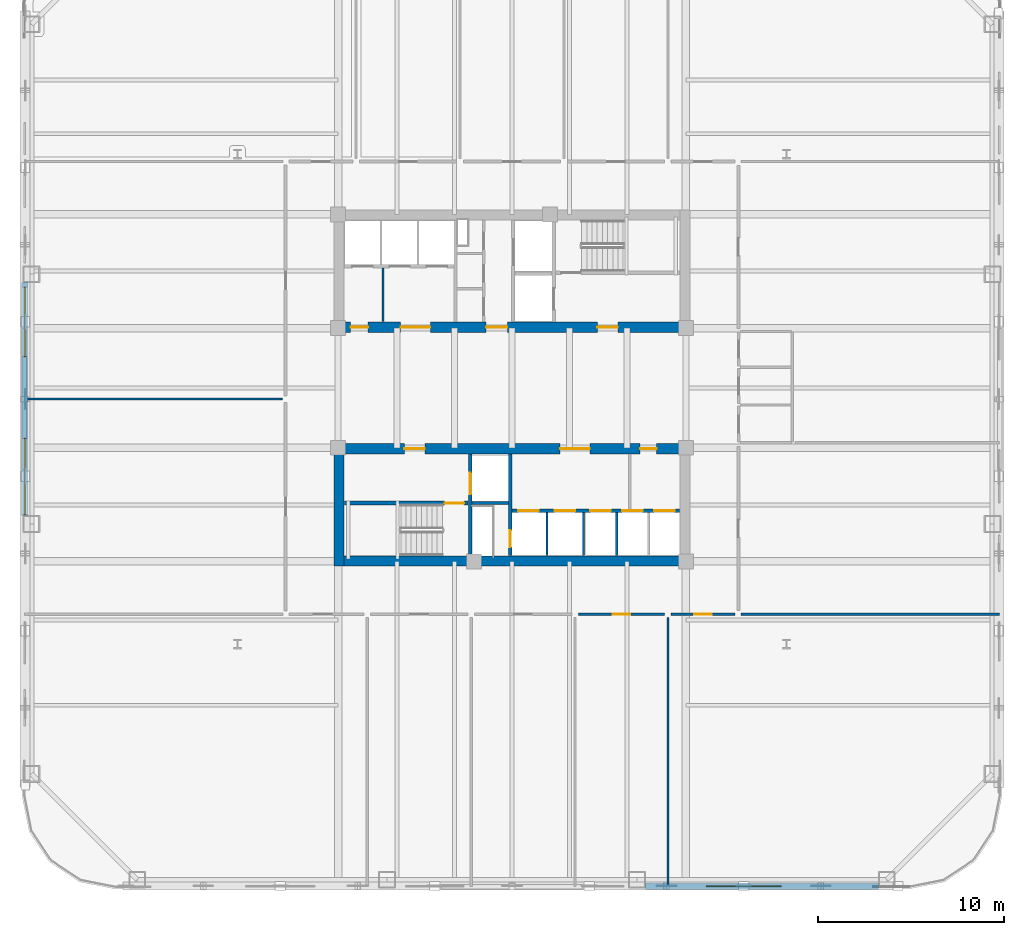
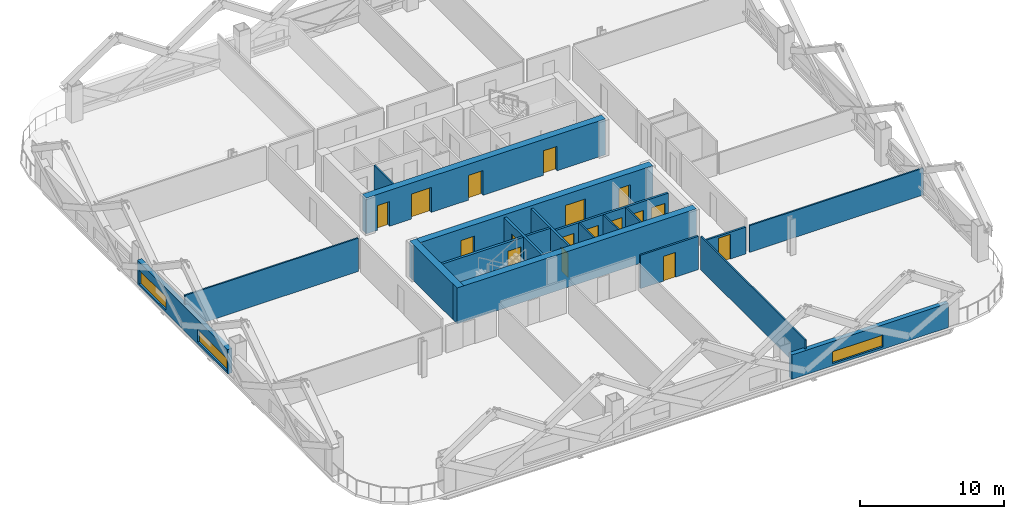
# One storey, part 5 of 14: 20 walls, 17 doors, 3 windows, 20 openings.
"""IFC4 building model written with IfcOpenShell, lengths in metres."""

from ifc_helpers import new_model, si_unit, direction, frame, frame_2d, origin, place, context, subcontext, project, spatial, rectangle, extrude, material, layer, layer_set, type_object, element, fill, save


model = new_model("IFC4")

# Units and contexts
model_context = context("Model", 3, precision=1e-05, world=origin(), true_north=direction((0.0, 1.0)))
body_context = subcontext(model_context, "Body", "Model", "MODEL_VIEW")
ifc_project = project(units=[si_unit("LENGTHUNIT", "METRE"), si_unit("AREAUNIT", "SQUARE_METRE"), si_unit("VOLUMEUNIT", "CUBIC_METRE"), si_unit("PLANEANGLEUNIT", "RADIAN"), si_unit("MASSUNIT", "GRAM", prefix="KILO")], contexts=[model_context])

# Site, building, storey
site_placement = place(None, origin())
site = spatial("IfcSite", under=ifc_project, at=site_placement, CompositionType="ELEMENT")
building_placement = place(site_placement, origin())
building = spatial("IfcBuilding", under=site, at=building_placement, Name="Qhalaya Broadcast Tower", CompositionType="ELEMENT")
storey_placement = place(building_placement, frame((0.0, 0.0, 38.300048828125)))
storey = spatial("IfcBuildingStorey", under=building, at=storey_placement, Name="L10", CompositionType="ELEMENT", Elevation=38.300048828125)

# Wall, opening, door
ifc_material_1 = material(Name="Gypsum Acoustic Partition")
ifc_layer_1 = layer(ifc_material_1, 0.14990234375, Name="Gypsum Acoustic Partition")
ifc_layer_set_1 = layer_set([ifc_layer_1], Name="Gypsum Acoustic Partition")
wall_type_1 = type_object("IfcWallType", Name="Corridor & Tenancy Acoustic Partition 150", PredefinedType="PARTITIONING", material=ifc_layer_set_1)
wall_1_placement = place(storey_placement, frame((3.580078125, -11.60009765625, 0.0), z_axis=(0.0, 0.0, 1.0), x_axis=(1.0, 0.0, 0.0)))
wall_1 = element("IfcWall", 1, at=wall_1_placement, inside=storey, type_object=wall_type_1, Name="L10 Partition Wall W-COR-09", PredefinedType="PARTITIONING", context=body_context, shape_type="SweptSolid", body=[
    extrude(rectangle(XDim=4.639892578125, YDim=0.14990234375, at=frame_2d((2.31982421875, 0.0))), origin(), (0.0, 0.0, 1.0), 2.829833984375),
])
opening_1_placement = place(wall_1_placement, frame((1.844970703125, 0.0, 0.0)))
opening_1 = element("IfcOpeningElement", 2, at=opening_1_placement, cuts=wall_1, Name="Opening D10", PredefinedType="OPENING", context=body_context, shape_type="SweptSolid", body=[
    extrude(rectangle(XDim=0.949951171875, YDim=2.10009765625, at=frame_2d((0.47509765625, 1.050048828125))), frame((0.0, 0.0869140625, 0.0), z_axis=(0.0, -1.0, 0.0), x_axis=(1.0, 0.0, 0.0)), (0.0, 0.0, 1.0), 0.173828125),
])
ifc_material_2 = material(Name="Timber Veneer Acoustic Door", Category="wood")
door_type_1 = type_object("IfcDoorType", Name="Cellular Office & Edit Booth Door D10", OperationType="NOTDEFINED", PredefinedType="DOOR", material=ifc_material_2)
door_1_placement = place(opening_1_placement, origin())
door_1 = element("IfcDoor", 3, at=door_1_placement, inside=storey, type_object=door_type_1, Name="L10 Door D-RM09", OperationType="SINGLE_SWING_RIGHT", OverallHeight=2.10009765625, OverallWidth=0.949951171875, PredefinedType="DOOR", context=body_context, shape_type="SweptSolid", body=[
    extrude(rectangle(XDim=0.949951171875, YDim=2.10009765625, at=frame_2d((0.47509765625, 1.050048828125))), frame((0.0, 0.02490234375, 0.0), z_axis=(0.0, -1.0, 0.0), x_axis=(1.0, 0.0, 0.0)), (0.0, 0.0, 1.0), 0.050048828125),
])
fill(opening_1, door_1)

wall_2_placement = place(storey_placement, frame((8.580078125, -11.60009765625, 0.0), z_axis=(0.0, 0.0, 1.0), x_axis=(1.0, 0.0, 0.0)))
wall_2 = element("IfcWall", 4, at=wall_2_placement, inside=storey, type_object=wall_type_1, Name="L10 Partition Wall W-COR-10", PredefinedType="PARTITIONING", context=body_context, shape_type="SweptSolid", body=[
    extrude(rectangle(XDim=3.43994140625, YDim=0.14990234375, at=frame_2d((1.719970703125, 0.0))), origin(), (0.0, 0.0, 1.0), 2.27392578125),
])
opening_2_placement = place(wall_2_placement, frame((1.2451171875, 0.0, 0.0)))
opening_2 = element("IfcOpeningElement", 5, at=opening_2_placement, cuts=wall_2, Name="Opening D10", PredefinedType="OPENING", context=body_context, shape_type="SweptSolid", body=[
    extrude(rectangle(XDim=0.949951171875, YDim=2.10009765625, at=frame_2d((0.47509765625, 1.050048828125))), frame((0.0, 0.0869140625, 0.0), z_axis=(0.0, -1.0, 0.0), x_axis=(1.0, 0.0, 0.0)), (0.0, 0.0, 1.0), 0.173828125),
])
door_2_placement = place(opening_2_placement, origin())
door_2 = element("IfcDoor", 6, at=door_2_placement, inside=storey, type_object=door_type_1, Name="L10 Door D-RM10", OperationType="SINGLE_SWING_LEFT", OverallHeight=2.10009765625, OverallWidth=0.949951171875, PredefinedType="DOOR", context=body_context, shape_type="SweptSolid", body=[
    extrude(rectangle(XDim=0.949951171875, YDim=2.10009765625, at=frame_2d((0.47509765625, 1.050048828125))), frame((0.0, 0.02490234375, 0.0), z_axis=(0.0, -1.0, 0.0), x_axis=(1.0, 0.0, 0.0)), (0.0, 0.0, 1.0), 0.050048828125),
])
fill(opening_2, door_2)

# Wall, opening, window
ifc_material_3 = material(Name="Precast Concrete C40/50", Category="concrete")
ifc_layer_2 = layer(ifc_material_3, 0.360107421875, Name="Precast Concrete C40/50")
ifc_layer_set_2 = layer_set([ifc_layer_2], Name="Precast Concrete C40/50")
wall_type_2 = type_object("IfcWallType", Name="Insulated Precast Terracotta Exterior Wall 360", PredefinedType="SOLIDWALL", material=ifc_layer_set_2)
wall_3_placement = place(storey_placement, frame((19.761962890625, -26.260009765625, 0.0), z_axis=(0.0, 0.0, 1.0), x_axis=(-1.0, 0.0, 0.0)))
wall_3 = element("IfcWall", 7, at=wall_3_placement, inside=storey, type_object=wall_type_2, Name="L10 Exoskeleton Diagrid Infill Wall S1", PredefinedType="SOLIDWALL", context=body_context, shape_type="SweptSolid", body=[
    extrude(rectangle(XDim=12.57861328125, YDim=0.360107421875, at=frame_2d((6.289306640625, 0.0))), origin(), (0.0, 0.0, 1.0), 2.06689453125),
])
opening_3_placement = place(wall_3_placement, frame((5.25, 0.0, 0.199951171875)))
opening_3 = element("IfcOpeningElement", 8, at=opening_3_placement, cuts=wall_3, Name="Opening W11", PredefinedType="OPENING", context=body_context, shape_type="SweptSolid", body=[
    extrude(rectangle(XDim=4.050048828125, YDim=1.0, at=frame_2d((2.02490234375, 0.5))), frame((0.0, 0.192138671875, 0.0), z_axis=(0.0, -1.0, 0.0), x_axis=(1.0, 0.0, 0.0)), (0.0, 0.0, 1.0), 0.384033203125),
])
ifc_material_4 = material(Name="Solar-Control Low-E Triple Glazing", Category="glass")
window_type = type_object("IfcWindowType", Name="Odd-Block Diagrid Infill Window W11", PartitioningType="SINGLE_PANEL", PredefinedType="WINDOW", material=ifc_material_4)
window_1_placement = place(opening_3_placement, origin())
window_1 = element("IfcWindow", 9, at=window_1_placement, inside=storey, type_object=window_type, Name="L10 Diagrid Infill Window W11-S1", OverallHeight=1.0, OverallWidth=4.050048828125, PartitioningType="SINGLE_PANEL", PredefinedType="WINDOW", context=body_context, shape_type="SweptSolid", body=[
    extrude(rectangle(XDim=4.050048828125, YDim=1.0, at=frame_2d((2.02490234375, 0.5))), frame((0.0, 0.030029296875, 0.0), z_axis=(0.0, -1.0, 0.0), x_axis=(1.0, 0.0, 0.0)), (0.0, 0.0, 1.0), 0.06005859375),
])
fill(opening_3, window_1)

# Wall, openings, windows
wall_4_placement = place(storey_placement, frame((-26.260009765625, -6.283203125, 0.0), z_axis=(0.0, 0.0, 1.0), x_axis=(0.0, 1.0, 0.0)))
wall_4 = element("IfcWall", 10, at=wall_4_placement, inside=storey, type_object=wall_type_2, Name="L10 Exoskeleton Diagrid Infill Wall W2", PredefinedType="SOLIDWALL", context=body_context, shape_type="SweptSolid", body=[
    extrude(rectangle(XDim=12.56640625, YDim=0.360107421875, at=frame_2d((6.283203125, 0.0))), origin(), (0.0, 0.0, 1.0), 2.06689453125),
])
opening_4_placement = place(wall_4_placement, frame((0.071044921875, 0.0, 0.199951171875)))
opening_4 = element("IfcOpeningElement", 11, at=opening_4_placement, cuts=wall_4, Name="Opening W11", PredefinedType="OPENING", context=body_context, shape_type="SweptSolid", body=[
    extrude(rectangle(XDim=4.10009765625, YDim=1.050048828125, at=frame_2d((2.050048828125, 0.52490234375))), frame((0.0, 0.192138671875, 0.0), z_axis=(0.0, -1.0, 0.0), x_axis=(1.0, 0.0, 0.0)), (0.0, 0.0, 1.0), 0.384033203125),
])
opening_5_placement = place(wall_4_placement, frame((8.571044921875, 0.0, 0.199951171875)))
opening_5 = element("IfcOpeningElement", 12, at=opening_5_placement, cuts=wall_4, Name="Opening W11", PredefinedType="OPENING", context=body_context, shape_type="SweptSolid", body=[
    extrude(rectangle(XDim=3.75, YDim=1.14990234375, at=frame_2d((1.875, 0.574951171875))), frame((0.0, 0.192138671875, 0.0), z_axis=(0.0, -1.0, 0.0), x_axis=(1.0, 0.0, 0.0)), (0.0, 0.0, 1.0), 0.384033203125),
])
window_2_placement = place(opening_4_placement, origin())
window_2 = element("IfcWindow", 13, at=window_2_placement, inside=storey, type_object=window_type, Name="L10 Diagrid Infill Window W11-W3", OverallHeight=1.050048828125, OverallWidth=4.10009765625, PartitioningType="SINGLE_PANEL", PredefinedType="WINDOW", context=body_context, shape_type="SweptSolid", body=[
    extrude(rectangle(XDim=4.10009765625, YDim=1.050048828125, at=frame_2d((2.050048828125, 0.52490234375))), frame((0.0, 0.030029296875, 0.0), z_axis=(0.0, -1.0, 0.0), x_axis=(1.0, 0.0, 0.0)), (0.0, 0.0, 1.0), 0.06005859375),
])
fill(opening_4, window_2)
window_3_placement = place(opening_5_placement, origin())
window_3 = element("IfcWindow", 14, at=window_3_placement, inside=storey, type_object=window_type, Name="L10 Diagrid Infill Window W11-W4", OverallHeight=1.14990234375, OverallWidth=3.75, PartitioningType="SINGLE_PANEL", PredefinedType="WINDOW", context=body_context, shape_type="SweptSolid", body=[
    extrude(rectangle(XDim=3.75, YDim=1.14990234375, at=frame_2d((1.875, 0.574951171875))), frame((0.0, 0.030029296875, 0.0), z_axis=(0.0, -1.0, 0.0), x_axis=(1.0, 0.0, 0.0)), (0.0, 0.0, 1.0), 0.06005859375),
])
fill(opening_5, window_3)

# Wall, opening, door
ifc_material_5 = material(Name="Concrete C50/60", Category="concrete")
ifc_layer_3 = layer(ifc_material_5, 0.199951171875, Name="Concrete C50/60")
ifc_layer_set_3 = layer_set([ifc_layer_3], Name="Concrete C50/60")
wall_type_3 = type_object("IfcWallType", Name="Load-Bearing Stair Shaft Wall 200", PredefinedType="SHEAR", material=ifc_layer_set_3)
wall_5_placement = place(storey_placement, frame((-9.030029296875, -5.60498046875, 0.0), z_axis=(0.0, 0.0, 1.0), x_axis=(1.0, 0.0, 0.0)))
wall_5 = element("IfcWall", 15, at=wall_5_placement, inside=storey, type_object=wall_type_3, Name="L10 Stair Core Shear Wall SCW-ST2", PredefinedType="SHEAR", context=body_context, shape_type="SweptSolid", body=[
    extrude(rectangle(XDim=6.669921875, YDim=0.199951171875, at=frame_2d((3.3349609375, 0.0))), origin(), (0.0, 0.0, 1.0), 2.829833984375),
])
opening_6_placement = place(wall_5_placement, frame((5.39990234375, 0.0, 0.0)))
opening_6 = element("IfcOpeningElement", 16, at=opening_6_placement, cuts=wall_5, Name="Opening D03", PredefinedType="OPENING", context=body_context, shape_type="SweptSolid", body=[
    extrude(rectangle(XDim=1.050048828125, YDim=2.080078125, at=frame_2d((0.52490234375, 1.0400390625))), frame((0.0, 0.112060546875, 0.0), z_axis=(0.0, -1.0, 0.0), x_axis=(1.0, 0.0, 0.0)), (0.0, 0.0, 1.0), 0.223876953125),
])
ifc_material_6 = material(Name="Fire-Rated Steel Door", Category="steel")
door_type_2 = type_object("IfcDoorType", Name="Core Stair Protected Fire Door D03", OperationType="NOTDEFINED", PredefinedType="DOOR", material=ifc_material_6)
door_3_placement = place(opening_6_placement, origin())
door_3 = element("IfcDoor", 17, at=door_3_placement, inside=storey, type_object=door_type_2, Name="L10 Door D-SST2", OperationType="SINGLE_SWING_RIGHT", OverallHeight=2.080078125, OverallWidth=1.050048828125, PredefinedType="DOOR", context=body_context, shape_type="SweptSolid", body=[
    extrude(rectangle(XDim=1.050048828125, YDim=2.080078125, at=frame_2d((0.52490234375, 1.0400390625))), frame((0.0, 0.02490234375, 0.0), z_axis=(0.0, -1.0, 0.0), x_axis=(1.0, 0.0, 0.0)), (0.0, 0.0, 1.0), 0.050048828125),
])
fill(opening_6, door_3)

wall_6_placement = place(storey_placement, frame((-2.25, -8.429931640625, 0.0), z_axis=(0.0, 0.0, 1.0), x_axis=(0.0, 1.0, 0.0)))
wall_6 = element("IfcWall", 18, at=wall_6_placement, inside=storey, type_object=wall_type_3, Name="L10 Stair Core Shear Wall SCW-FF", PredefinedType="SHEAR", context=body_context, shape_type="SweptSolid", body=[
    extrude(rectangle(XDim=5.4599609375, YDim=0.199951171875, at=frame_2d((2.72998046875, 0.0))), origin(), (0.0, 0.0, 1.0), 2.829833984375),
])
opening_7_placement = place(wall_6_placement, frame((3.300048828125, 0.0, 0.0)))
opening_7 = element("IfcOpeningElement", 19, at=opening_7_placement, cuts=wall_6, Name="Opening LD2", PredefinedType="OPENING", context=body_context, shape_type="SweptSolid", body=[
    extrude(rectangle(XDim=1.14990234375, YDim=2.080078125, at=frame_2d((0.574951171875, 1.0400390625))), frame((0.0, 0.112060546875, 0.0), z_axis=(0.0, -1.0, 0.0), x_axis=(1.0, 0.0, 0.0)), (0.0, 0.0, 1.0), 0.223876953125),
])
ifc_material_7 = material(Name="Brushed Stainless Steel Lift Door", Category="steel")
door_type_3 = type_object("IfcDoorType", Name="Firefighting Lift Sliding Landing Door LD2", OperationType="DOUBLE_DOOR_SLIDING", PredefinedType="DOOR", material=ifc_material_7)
door_4_placement = place(opening_7_placement, origin())
door_4 = element("IfcDoor", 20, at=door_4_placement, inside=storey, type_object=door_type_3, Name="L10 Door LD-FF2", OperationType="DOUBLE_DOOR_SLIDING", OverallHeight=2.080078125, OverallWidth=1.14990234375, PredefinedType="DOOR", context=body_context, shape_type="SweptSolid", body=[
    extrude(rectangle(XDim=1.14990234375, YDim=2.080078125, at=frame_2d((0.574951171875, 1.0400390625))), frame((0.0, 0.02490234375, 0.0), z_axis=(0.0, -1.0, 0.0), x_axis=(1.0, 0.0, 0.0)), (0.0, 0.0, 1.0), 0.050048828125),
])
fill(opening_7, door_4)

# Wall, openings, doors
ifc_material_8 = material(Name="Concrete C60/75", Category="concrete")
ifc_layer_4 = layer(ifc_material_8, 0.550048828125, Name="Concrete C60/75")
ifc_layer_set_4 = layer_set([ifc_layer_4], Name="Concrete C60/75")
wall_type_4 = type_object("IfcWallType", Name="Lower Split-Core Shear Wall 550", PredefinedType="SHEAR", material=ifc_layer_set_4)
wall_7_placement = place(storey_placement, frame((-9.60009765625, 3.875, 0.0), z_axis=(0.0, 0.0, 1.0), x_axis=(1.0, 0.0, 0.0)))
wall_7 = element("IfcWall", 21, at=wall_7_placement, inside=storey, type_object=wall_type_4, Name="L10 Split-Core Shear Wall CW-NS", PredefinedType="SHEAR", context=body_context, shape_type="SweptSolid", body=[
    extrude(rectangle(XDim=19.2001953125, YDim=0.550048828125, at=frame_2d((9.60009765625, 0.0))), origin(), (0.0, 0.0, 1.0), 3.050048828125),
])
opening_8_placement = place(wall_7_placement, frame((14.199951171875, 0.0, 0.0)))
opening_8 = element("IfcOpeningElement", 22, at=opening_8_placement, cuts=wall_7, Name="Opening D04", PredefinedType="OPENING", context=body_context, shape_type="SweptSolid", body=[
    extrude(rectangle(XDim=1.10009765625, YDim=2.080078125, at=frame_2d((0.550048828125, 1.0400390625))), frame((0.0, 0.287109375, 0.0), z_axis=(0.0, -1.0, 0.0), x_axis=(1.0, 0.0, 0.0)), (0.0, 0.0, 1.0), 0.573974609375),
])
opening_9_placement = place(wall_7_placement, frame((8.199951171875, 0.0, 0.0)))
opening_9 = element("IfcOpeningElement", 23, at=opening_9_placement, cuts=wall_7, Name="Opening D05", PredefinedType="OPENING", context=body_context, shape_type="SweptSolid", body=[
    extrude(rectangle(XDim=1.14990234375, YDim=2.10009765625, at=frame_2d((0.574951171875, 1.050048828125))), frame((0.0, 0.287109375, 0.0), z_axis=(0.0, -1.0, 0.0), x_axis=(1.0, 0.0, 0.0)), (0.0, 0.0, 1.0), 0.573974609375),
])
opening_10_placement = place(wall_7_placement, frame((0.89990234375, 0.0, 0.0)))
opening_10 = element("IfcOpeningElement", 24, at=opening_10_placement, cuts=wall_7, Name="Opening D10", PredefinedType="OPENING", context=body_context, shape_type="SweptSolid", body=[
    extrude(rectangle(XDim=0.949951171875, YDim=2.10009765625, at=frame_2d((0.47509765625, 1.050048828125))), frame((0.0, 0.287109375, 0.0), z_axis=(0.0, -1.0, 0.0), x_axis=(1.0, 0.0, 0.0)), (0.0, 0.0, 1.0), 0.573974609375),
])
opening_11_placement = place(wall_7_placement, frame((3.60009765625, 0.0, 0.0)))
opening_11 = element("IfcOpeningElement", 25, at=opening_11_placement, cuts=wall_7, Name="Opening D07", PredefinedType="OPENING", context=body_context, shape_type="SweptSolid", body=[
    extrude(rectangle(XDim=1.60009765625, YDim=2.1201171875, at=frame_2d((0.800048828125, 1.06005859375))), frame((0.0, 0.287109375, 0.0), z_axis=(0.0, -1.0, 0.0), x_axis=(1.0, 0.0, 0.0)), (0.0, 0.0, 1.0), 0.573974609375),
])
door_5_placement = place(opening_10_placement, origin())
door_5 = element("IfcDoor", 26, at=door_5_placement, inside=storey, type_object=door_type_1, Name="L10 Door D-NLPNT", OperationType="SINGLE_SWING_RIGHT", OverallHeight=2.10009765625, OverallWidth=0.949951171875, PredefinedType="DOOR", context=body_context, shape_type="SweptSolid", body=[
    extrude(rectangle(XDim=0.949951171875, YDim=2.10009765625, at=frame_2d((0.47509765625, 1.050048828125))), frame((0.0, 0.02490234375, 0.0), z_axis=(0.0, -1.0, 0.0), x_axis=(1.0, 0.0, 0.0)), (0.0, 0.0, 1.0), 0.050048828125),
])
fill(opening_10, door_5)
door_type_4 = type_object("IfcDoorType", Name="Firefighting Lobby Rated Door D04", OperationType="NOTDEFINED", PredefinedType="DOOR", material=ifc_material_6)
door_6_placement = place(opening_8_placement, origin())
door_6 = element("IfcDoor", 27, at=door_6_placement, inside=storey, type_object=door_type_4, Name="L10 Door D-NFF", OperationType="SINGLE_SWING_RIGHT", OverallHeight=2.080078125, OverallWidth=1.10009765625, PredefinedType="DOOR", context=body_context, shape_type="SweptSolid", body=[
    extrude(rectangle(XDim=1.10009765625, YDim=2.080078125, at=frame_2d((0.550048828125, 1.0400390625))), frame((0.0, 0.02490234375, 0.0), z_axis=(0.0, -1.0, 0.0), x_axis=(1.0, 0.0, 0.0)), (0.0, 0.0, 1.0), 0.050048828125),
])
fill(opening_8, door_6)
ifc_material_9 = material(Name="Anodised Aluminium Glazed Door", Category="aluminium")
door_type_5 = type_object("IfcDoorType", Name="Passenger Lift Lobby Double Glazed Door D07", OperationType="DOUBLE_DOOR_SINGLE_SWING", PredefinedType="DOOR", material=ifc_material_9)
door_7_placement = place(opening_11_placement, origin())
door_7 = element("IfcDoor", 28, at=door_7_placement, inside=storey, type_object=door_type_5, Name="L10 Door D-NPLL", OperationType="DOUBLE_DOOR_SINGLE_SWING", OverallHeight=2.1201171875, OverallWidth=1.60009765625, PredefinedType="DOOR", context=body_context, shape_type="SweptSolid", body=[
    extrude(rectangle(XDim=1.60009765625, YDim=2.1201171875, at=frame_2d((0.800048828125, 1.06005859375))), frame((0.0, 0.02490234375, 0.0), z_axis=(0.0, -1.0, 0.0), x_axis=(1.0, 0.0, 0.0)), (0.0, 0.0, 1.0), 0.050048828125),
])
fill(opening_11, door_7)
door_type_6 = type_object("IfcDoorType", Name="Refuge & Plant Room Fire Door D05", OperationType="NOTDEFINED", PredefinedType="DOOR", material=ifc_material_6)
door_8_placement = place(opening_9_placement, origin())
door_8 = element("IfcDoor", 29, at=door_8_placement, inside=storey, type_object=door_type_6, Name="L10 Door D-NSVL", OperationType="SINGLE_SWING_LEFT", OverallHeight=2.10009765625, OverallWidth=1.14990234375, PredefinedType="DOOR", context=body_context, shape_type="SweptSolid", body=[
    extrude(rectangle(XDim=1.14990234375, YDim=2.10009765625, at=frame_2d((0.574951171875, 1.050048828125))), frame((0.0, 0.02490234375, 0.0), z_axis=(0.0, -1.0, 0.0), x_axis=(1.0, 0.0, 0.0)), (0.0, 0.0, 1.0), 0.050048828125),
])
fill(opening_9, door_8)

# Wall
wall_8_placement = place(storey_placement, frame((-9.60009765625, -8.72509765625, 0.0), z_axis=(0.0, 0.0, 1.0), x_axis=(1.0, 0.0, 0.0)))
element("IfcWall", 30, at=wall_8_placement, inside=storey, type_object=wall_type_4, Name="L10 Split-Core Shear Wall CW-SS", PredefinedType="SHEAR", context=body_context, shape_type="SweptSolid", body=[
    extrude(rectangle(XDim=19.2001953125, YDim=0.550048828125, at=frame_2d((9.60009765625, 0.0))), origin(), (0.0, 0.0, 1.0), 3.050048828125),
])

# Wall, openings, doors
wall_9_placement = place(storey_placement, frame((-9.60009765625, -2.675048828125, 0.0), z_axis=(0.0, 0.0, 1.0), x_axis=(1.0, 0.0, 0.0)))
wall_9 = element("IfcWall", 31, at=wall_9_placement, inside=storey, type_object=wall_type_4, Name="L10 Split-Core Shear Wall CW-SN", PredefinedType="SHEAR", context=body_context, shape_type="SweptSolid", body=[
    extrude(rectangle(XDim=19.2001953125, YDim=0.550048828125, at=frame_2d((9.60009765625, 0.0))), origin(), (0.0, 0.0, 1.0), 3.050048828125),
])
opening_12_placement = place(wall_9_placement, frame((3.800048828125, 0.0, 0.0)))
opening_12 = element("IfcOpeningElement", 32, at=opening_12_placement, cuts=wall_9, Name="Opening D04", PredefinedType="OPENING", context=body_context, shape_type="SweptSolid", body=[
    extrude(rectangle(XDim=1.10009765625, YDim=2.080078125, at=frame_2d((0.550048828125, 1.0400390625))), frame((0.0, 0.287109375, 0.0), z_axis=(0.0, -1.0, 0.0), x_axis=(1.0, 0.0, 0.0)), (0.0, 0.0, 1.0), 0.573974609375),
])
opening_13_placement = place(wall_9_placement, frame((12.199951171875, 0.0, 0.0)))
opening_13 = element("IfcOpeningElement", 33, at=opening_13_placement, cuts=wall_9, Name="Opening D07", PredefinedType="OPENING", context=body_context, shape_type="SweptSolid", body=[
    extrude(rectangle(XDim=1.60009765625, YDim=2.1201171875, at=frame_2d((0.800048828125, 1.06005859375))), frame((0.0, 0.287109375, 0.0), z_axis=(0.0, -1.0, 0.0), x_axis=(1.0, 0.0, 0.0)), (0.0, 0.0, 1.0), 0.573974609375),
])
opening_14_placement = place(wall_9_placement, frame((16.5, 0.0, 0.0)))
opening_14 = element("IfcOpeningElement", 34, at=opening_14_placement, cuts=wall_9, Name="Opening D06", PredefinedType="OPENING", context=body_context, shape_type="SweptSolid", body=[
    extrude(rectangle(XDim=0.89990234375, YDim=2.050048828125, at=frame_2d((0.449951171875, 1.02490234375))), frame((0.0, 0.287109375, 0.0), z_axis=(0.0, -1.0, 0.0), x_axis=(1.0, 0.0, 0.0)), (0.0, 0.0, 1.0), 0.573974609375),
])
door_9_placement = place(opening_12_placement, origin())
door_9 = element("IfcDoor", 35, at=door_9_placement, inside=storey, type_object=door_type_4, Name="L10 Door D-SFF", OperationType="SINGLE_SWING_LEFT", OverallHeight=2.080078125, OverallWidth=1.10009765625, PredefinedType="DOOR", context=body_context, shape_type="SweptSolid", body=[
    extrude(rectangle(XDim=1.10009765625, YDim=2.080078125, at=frame_2d((0.550048828125, 1.0400390625))), frame((0.0, 0.02490234375, 0.0), z_axis=(0.0, -1.0, 0.0), x_axis=(1.0, 0.0, 0.0)), (0.0, 0.0, 1.0), 0.050048828125),
])
fill(opening_12, door_9)
door_10_placement = place(opening_13_placement, origin())
door_10 = element("IfcDoor", 36, at=door_10_placement, inside=storey, type_object=door_type_5, Name="L10 Door D-SPLL", OperationType="DOUBLE_DOOR_SINGLE_SWING", OverallHeight=2.1201171875, OverallWidth=1.60009765625, PredefinedType="DOOR", context=body_context, shape_type="SweptSolid", body=[
    extrude(rectangle(XDim=1.60009765625, YDim=2.1201171875, at=frame_2d((0.800048828125, 1.06005859375))), frame((0.0, 0.02490234375, 0.0), z_axis=(0.0, -1.0, 0.0), x_axis=(1.0, 0.0, 0.0)), (0.0, 0.0, 1.0), 0.050048828125),
])
fill(opening_13, door_10)
door_type_7 = type_object("IfcDoorType", Name="Riser & Electrical Shaft Access Door D06", OperationType="NOTDEFINED", PredefinedType="DOOR", material=ifc_material_6)
door_11_placement = place(opening_14_placement, origin())
door_11 = element("IfcDoor", 37, at=door_11_placement, inside=storey, type_object=door_type_7, Name="L10 Door D-SSCST", OperationType="SINGLE_SWING_LEFT", OverallHeight=2.050048828125, OverallWidth=0.89990234375, PredefinedType="DOOR", context=body_context, shape_type="SweptSolid", body=[
    extrude(rectangle(XDim=0.89990234375, YDim=2.050048828125, at=frame_2d((0.449951171875, 1.02490234375))), frame((0.0, 0.02490234375, 0.0), z_axis=(0.0, -1.0, 0.0), x_axis=(1.0, 0.0, 0.0)), (0.0, 0.0, 1.0), 0.050048828125),
])
fill(opening_14, door_11)

# Walls
wall_10_placement = place(storey_placement, frame((-9.324951171875, -9.0, 0.0), z_axis=(0.0, 0.0, 1.0), x_axis=(0.0, 1.0, 0.0)))
element("IfcWall", 38, at=wall_10_placement, inside=storey, type_object=wall_type_4, Name="L10 Split-Core Shear Wall CW-SW", PredefinedType="SHEAR", context=body_context, shape_type="SweptSolid", body=[
    extrude(rectangle(XDim=6.60009765625, YDim=0.550048828125, at=frame_2d((3.300048828125, 0.0))), origin(), (0.0, 0.0, 1.0), 3.050048828125),
])
ifc_layer_5 = layer(ifc_material_1, 0.1201171875, Name="Gypsum Acoustic Partition")
ifc_layer_set_5 = layer_set([ifc_layer_5], Name="Gypsum Acoustic Partition")
wall_type_5 = type_object("IfcWallType", Name="Office, Booth & Sanitary Partition 120", PredefinedType="PARTITIONING", material=ifc_layer_set_5)
wall_11_placement = place(storey_placement, frame((-6.949951171875, 4.169921875, 0.0), z_axis=(0.0, 0.0, 1.0), x_axis=(0.0, 1.0, 0.0)))
element("IfcWall", 39, at=wall_11_placement, inside=storey, type_object=wall_type_5, Name="L10 Partition Wall NCW-LKB", PredefinedType="PARTITIONING", context=body_context, shape_type="SweptSolid", body=[
    extrude(rectangle(XDim=2.89013671875, YDim=0.1201171875, at=frame_2d((1.445068359375, 0.0))), origin(), (0.0, 0.0, 1.0), 2.829833984375),
])
for number, where, z_axis, x_axis, name in (
    (40, (1.8798828125, -8.429931640625, 0.0), (0.0, 0.0, 1.0), (0.0, 1.0, 0.0), "L10 Partition Wall SCW-MD4"),
    (41, (3.85009765625, -8.429931640625, 0.0), (0.0, 0.0, 1.0), (0.0, 1.0, 0.0), "L10 Partition Wall SCW-MD5"),
    (42, (5.639892578125, -8.429931640625, 0.0), (0.0, 0.0, 1.0), (0.0, 1.0, 0.0), "L10 Partition Wall SCW-HD6"),
):
    element("IfcWall", number, at=place(storey_placement, frame(where, z_axis=z_axis, x_axis=x_axis)), inside=storey, type_object=wall_type_5, Name=name, PredefinedType="PARTITIONING", context=body_context, shape_type="SweptSolid", body=[
        extrude(rectangle(XDim=2.329833984375, YDim=0.1201171875, at=frame_2d((1.1650390625, 0.0))), origin(), (0.0, 0.0, 1.0), 2.829833984375),
    ])
wall_12_placement = place(storey_placement, frame((12.340087890625, -11.60009765625, 0.0), z_axis=(0.0, 0.0, 1.0), x_axis=(1.0, 0.0, 0.0)))
element("IfcWall", 43, at=wall_12_placement, inside=storey, type_object=wall_type_5, Name="L10 Partition Wall W-BNDE2", PredefinedType="PARTITIONING", context=body_context, shape_type="SweptSolid", body=[
    extrude(rectangle(XDim=13.93994140625, YDim=0.1201171875, at=frame_2d((6.969970703125, 0.0))), origin(), (0.0, 0.0, 1.0), 2.27392578125),
])
wall_13_placement = place(storey_placement, frame((8.39990234375, -26.280029296875, 0.0), z_axis=(0.0, 0.0, 1.0), x_axis=(0.0, 1.0, 0.0)))
element("IfcWall", 44, at=wall_13_placement, inside=storey, type_object=wall_type_5, Name="L10 Partition Wall W-DIVS4", PredefinedType="PARTITIONING", context=body_context, shape_type="SweptSolid", body=[
    extrude(rectangle(XDim=14.52001953125, YDim=0.1201171875, at=frame_2d((7.260009765625, 0.0))), origin(), (0.0, 0.0, 1.0), 2.829833984375),
])
wall_14_placement = place(storey_placement, frame((-26.280029296875, 0.0, 0.0), z_axis=(0.0, 0.0, 1.0), x_axis=(1.0, 0.0, 0.0)))
element("IfcWall", 45, at=wall_14_placement, inside=storey, type_object=wall_type_5, Name="L10 Partition Wall W-DIVW1", PredefinedType="PARTITIONING", context=body_context, shape_type="SweptSolid", body=[
    extrude(rectangle(XDim=13.919921875, YDim=0.1201171875, at=frame_2d((6.9599609375, 0.0))), origin(), (0.0, 0.0, 1.0), 2.829833984375),
])

# Wall, opening, door
ifc_layer_6 = layer(ifc_material_1, 0.175048828125, Name="Gypsum Acoustic Partition")
ifc_layer_set_6 = layer_set([ifc_layer_6], Name="Gypsum Acoustic Partition")
wall_type_6 = type_object("IfcWallType", Name="Shaft & Riser Fire Partition 175", PredefinedType="PARTITIONING", material=ifc_layer_set_6)
wall_15_placement = place(storey_placement, frame((-0.10009765625, -8.429931640625, 0.0), z_axis=(0.0, 0.0, 1.0), x_axis=(0.0, 1.0, 0.0)))
wall_15 = element("IfcWall", 46, at=wall_15_placement, inside=storey, type_object=wall_type_6, Name="L10 Partition Wall SCW-FFE", PredefinedType="PARTITIONING", context=body_context, shape_type="SweptSolid", body=[
    extrude(rectangle(XDim=5.4599609375, YDim=0.175048828125, at=frame_2d((2.72998046875, 0.0))), origin(), (0.0, 0.0, 1.0), 2.829833984375),
])
opening_15_placement = place(wall_15_placement, frame((0.449951171875, 0.0, 0.0)))
opening_15 = element("IfcOpeningElement", 47, at=opening_15_placement, cuts=wall_15, Name="Opening D06", PredefinedType="OPENING", context=body_context, shape_type="SweptSolid", body=[
    extrude(rectangle(XDim=0.89990234375, YDim=2.050048828125, at=frame_2d((0.449951171875, 1.02490234375))), frame((0.0, 0.099609375, 0.0), z_axis=(0.0, -1.0, 0.0), x_axis=(1.0, 0.0, 0.0)), (0.0, 0.0, 1.0), 0.198974609375),
])
door_12_placement = place(opening_15_placement, origin())
door_12 = element("IfcDoor", 48, at=door_12_placement, inside=storey, type_object=door_type_7, Name="L10 Riser Shaft Access Door D-SRSR", OperationType="SINGLE_SWING_LEFT", OverallHeight=2.050048828125, OverallWidth=0.89990234375, PredefinedType="DOOR", context=body_context, shape_type="SweptSolid", body=[
    extrude(rectangle(XDim=0.89990234375, YDim=2.050048828125, at=frame_2d((0.449951171875, 1.02490234375))), frame((0.0, 0.02490234375, 0.0), z_axis=(0.0, -1.0, 0.0), x_axis=(1.0, 0.0, 0.0)), (0.0, 0.0, 1.0), 0.050048828125),
])
fill(opening_15, door_12)

# Wall
wall_16_placement = place(storey_placement, frame((-2.14990234375, -5.60009765625, 0.0), z_axis=(0.0, 0.0, 1.0), x_axis=(1.0, 0.0, 0.0)))
element("IfcWall", 49, at=wall_16_placement, inside=storey, type_object=wall_type_6, Name="L10 Partition Wall SCW-FFM", PredefinedType="PARTITIONING", context=body_context, shape_type="SweptSolid", body=[
    extrude(rectangle(XDim=1.969970703125, YDim=0.175048828125, at=frame_2d((0.98486328125, 0.0))), origin(), (0.0, 0.0, 1.0), 2.829833984375),
])

# Wall, openings, doors
wall_17_placement = place(storey_placement, frame((0.0, -6.02001953125, 0.0), z_axis=(0.0, 0.0, 1.0), x_axis=(1.0, 0.0, 0.0)))
wall_17 = element("IfcWall", 50, at=wall_17_placement, inside=storey, type_object=wall_type_6, Name="L10 Partition Wall SCW-SLB", PredefinedType="PARTITIONING", context=body_context, shape_type="SweptSolid", body=[
    extrude(rectangle(XDim=9.030029296875, YDim=0.175048828125, at=frame_2d((4.51513671875, 0.0))), origin(), (0.0, 0.0, 1.0), 2.829833984375),
])
opening_16_placement = place(wall_17_placement, frame((0.330078125, 0.0, 0.0)))
opening_16 = element("IfcOpeningElement", 51, at=opening_16_placement, cuts=wall_17, Name="Opening LD1", PredefinedType="OPENING", context=body_context, shape_type="SweptSolid", body=[
    extrude(rectangle(XDim=1.10009765625, YDim=2.06005859375, at=frame_2d((0.550048828125, 1.030029296875))), frame((0.0, 0.099609375, 0.0), z_axis=(0.0, -1.0, 0.0), x_axis=(1.0, 0.0, 0.0)), (0.0, 0.0, 1.0), 0.198974609375),
])
opening_17_placement = place(wall_17_placement, frame((2.300048828125, 0.0, 0.0)))
opening_17 = element("IfcOpeningElement", 52, at=opening_17_placement, cuts=wall_17, Name="Opening LD1", PredefinedType="OPENING", context=body_context, shape_type="SweptSolid", body=[
    extrude(rectangle(XDim=1.10009765625, YDim=2.06005859375, at=frame_2d((0.550048828125, 1.030029296875))), frame((0.0, 0.099609375, 0.0), z_axis=(0.0, -1.0, 0.0), x_axis=(1.0, 0.0, 0.0)), (0.0, 0.0, 1.0), 0.198974609375),
])
opening_18_placement = place(wall_17_placement, frame((4.219970703125, 0.0, 0.0)))
opening_18 = element("IfcOpeningElement", 53, at=opening_18_placement, cuts=wall_17, Name="Opening LD1", PredefinedType="OPENING", context=body_context, shape_type="SweptSolid", body=[
    extrude(rectangle(XDim=1.10009765625, YDim=2.06005859375, at=frame_2d((0.550048828125, 1.030029296875))), frame((0.0, 0.099609375, 0.0), z_axis=(0.0, -1.0, 0.0), x_axis=(1.0, 0.0, 0.0)), (0.0, 0.0, 1.0), 0.198974609375),
])
opening_19_placement = place(wall_17_placement, frame((5.93994140625, 0.0, 0.0)))
opening_19 = element("IfcOpeningElement", 54, at=opening_19_placement, cuts=wall_17, Name="Opening LD1", PredefinedType="OPENING", context=body_context, shape_type="SweptSolid", body=[
    extrude(rectangle(XDim=1.10009765625, YDim=2.06005859375, at=frame_2d((0.550048828125, 1.030029296875))), frame((0.0, 0.099609375, 0.0), z_axis=(0.0, -1.0, 0.0), x_axis=(1.0, 0.0, 0.0)), (0.0, 0.0, 1.0), 0.198974609375),
])
opening_20_placement = place(wall_17_placement, frame((7.659912109375, 0.0, 0.0)))
opening_20 = element("IfcOpeningElement", 55, at=opening_20_placement, cuts=wall_17, Name="Opening LD1", PredefinedType="OPENING", context=body_context, shape_type="SweptSolid", body=[
    extrude(rectangle(XDim=1.10009765625, YDim=2.06005859375, at=frame_2d((0.550048828125, 1.030029296875))), frame((0.0, 0.099609375, 0.0), z_axis=(0.0, -1.0, 0.0), x_axis=(1.0, 0.0, 0.0)), (0.0, 0.0, 1.0), 0.198974609375),
])
door_type_8 = type_object("IfcDoorType", Name="Passenger Lift Sliding Landing Door LD1", OperationType="DOUBLE_DOOR_SLIDING", PredefinedType="DOOR", material=ifc_material_7)
door_13_placement = place(opening_16_placement, origin())
door_13 = element("IfcDoor", 56, at=door_13_placement, inside=storey, type_object=door_type_8, Name="L10 Door LD-P4", OperationType="DOUBLE_DOOR_SLIDING", OverallHeight=2.06005859375, OverallWidth=1.10009765625, PredefinedType="DOOR", context=body_context, shape_type="SweptSolid", body=[
    extrude(rectangle(XDim=1.10009765625, YDim=2.06005859375, at=frame_2d((0.550048828125, 1.030029296875))), frame((0.0, 0.02490234375, 0.0), z_axis=(0.0, -1.0, 0.0), x_axis=(1.0, 0.0, 0.0)), (0.0, 0.0, 1.0), 0.050048828125),
])
fill(opening_16, door_13)
door_14_placement = place(opening_17_placement, origin())
door_14 = element("IfcDoor", 57, at=door_14_placement, inside=storey, type_object=door_type_8, Name="L10 Door LD-P5", OperationType="DOUBLE_DOOR_SLIDING", OverallHeight=2.06005859375, OverallWidth=1.10009765625, PredefinedType="DOOR", context=body_context, shape_type="SweptSolid", body=[
    extrude(rectangle(XDim=1.10009765625, YDim=2.06005859375, at=frame_2d((0.550048828125, 1.030029296875))), frame((0.0, 0.02490234375, 0.0), z_axis=(0.0, -1.0, 0.0), x_axis=(1.0, 0.0, 0.0)), (0.0, 0.0, 1.0), 0.050048828125),
])
fill(opening_17, door_14)
door_15_placement = place(opening_18_placement, origin())
door_15 = element("IfcDoor", 58, at=door_15_placement, inside=storey, type_object=door_type_8, Name="L10 Door LD-P6", OperationType="DOUBLE_DOOR_SLIDING", OverallHeight=2.06005859375, OverallWidth=1.10009765625, PredefinedType="DOOR", context=body_context, shape_type="SweptSolid", body=[
    extrude(rectangle(XDim=1.10009765625, YDim=2.06005859375, at=frame_2d((0.550048828125, 1.030029296875))), frame((0.0, 0.02490234375, 0.0), z_axis=(0.0, -1.0, 0.0), x_axis=(1.0, 0.0, 0.0)), (0.0, 0.0, 1.0), 0.050048828125),
])
fill(opening_18, door_15)
door_16_placement = place(opening_19_placement, origin())
door_16 = element("IfcDoor", 59, at=door_16_placement, inside=storey, type_object=door_type_8, Name="L10 Door LD-P7", OperationType="DOUBLE_DOOR_SLIDING", OverallHeight=2.06005859375, OverallWidth=1.10009765625, PredefinedType="DOOR", context=body_context, shape_type="SweptSolid", body=[
    extrude(rectangle(XDim=1.10009765625, YDim=2.06005859375, at=frame_2d((0.550048828125, 1.030029296875))), frame((0.0, 0.02490234375, 0.0), z_axis=(0.0, -1.0, 0.0), x_axis=(1.0, 0.0, 0.0)), (0.0, 0.0, 1.0), 0.050048828125),
])
fill(opening_19, door_16)
door_17_placement = place(opening_20_placement, origin())
door_17 = element("IfcDoor", 60, at=door_17_placement, inside=storey, type_object=door_type_8, Name="L10 Door LD-P8", OperationType="DOUBLE_DOOR_SLIDING", OverallHeight=2.06005859375, OverallWidth=1.10009765625, PredefinedType="DOOR", context=body_context, shape_type="SweptSolid", body=[
    extrude(rectangle(XDim=1.10009765625, YDim=2.06005859375, at=frame_2d((0.550048828125, 1.030029296875))), frame((0.0, 0.02490234375, 0.0), z_axis=(0.0, -1.0, 0.0), x_axis=(1.0, 0.0, 0.0)), (0.0, 0.0, 1.0), 0.050048828125),
])
fill(opening_20, door_17)

save(model, "model.ifc")
